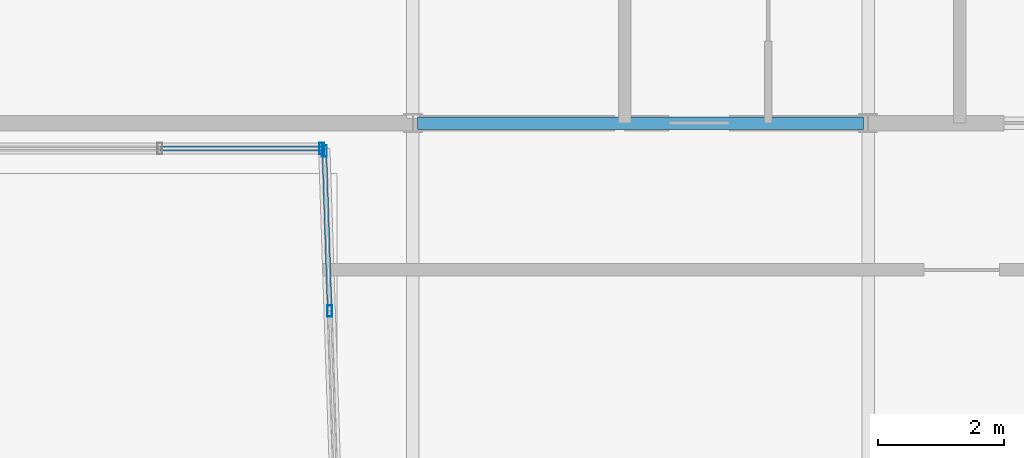
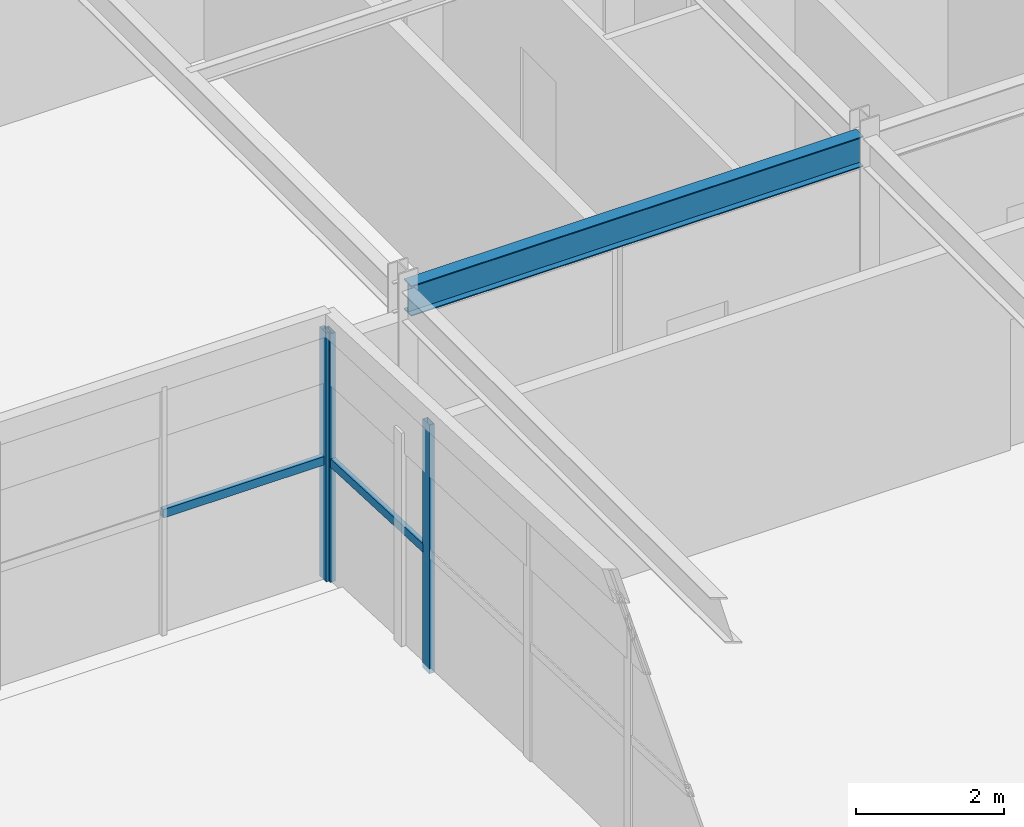
# One storey, part 20 of 37: 5 members, 1 beam, 2 elements without a shape of their own.
"""IFC4 building model written with IfcOpenShell, lengths in metres."""

from ifc_helpers import new_model, si_unit, direction, frame, origin, origin_2d, place, context, subcontext, project, spatial, hollow_rectangle, i_section, extrude, source, transform, mapped, material, material_profile, profile_set, type_object, element, aggregate, save


model = new_model("IFC4")

# Units and contexts
model_context = context("Model", 3, precision=1e-05, world=origin(), true_north=direction((0.0, 1.0)))
body_context = subcontext(model_context, "Body", "Model", "MODEL_VIEW")
ifc_project = project(units=[si_unit("LENGTHUNIT", "METRE"), si_unit("AREAUNIT", "SQUARE_METRE"), si_unit("VOLUMEUNIT", "CUBIC_METRE"), si_unit("PLANEANGLEUNIT", "RADIAN"), si_unit("MASSUNIT", "GRAM", prefix="KILO")], contexts=[model_context])

# Site, building, storey
site_placement = place(None, origin())
site = spatial("IfcSite", under=ifc_project, at=site_placement, CompositionType="ELEMENT")
building_placement = place(site_placement, origin())
building = spatial("IfcBuilding", under=site, at=building_placement, Name="Trelvane Seafront Commons", CompositionType="ELEMENT")
storey_placement = place(building_placement, frame((0.0, 0.0, 303.5)))
storey = spatial("IfcBuildingStorey", under=building, at=storey_placement, Name="L79", CompositionType="ELEMENT", Elevation=303.5)

# Beam
ifc_material_1 = material(Name="Steel SM355 (S355)", Category="steel")
ifc_material_profile_1 = material_profile(ifc_material_1, i_section(OverallWidth=0.199951171875, OverallDepth=0.5, WebThickness=0.010009765625, FlangeThickness=0.01611328125, at=origin_2d()), Name="H-500x200x10x16")
ifc_profile_set_1 = profile_set([ifc_material_profile_1], Name="Steel SM355 (S355)")
beam_type = type_object("IfcBeamType", Name="STR-CROWN-FRAME-RING", PredefinedType="SPANDREL", material=ifc_profile_set_1)
shared_shape_1 = source(origin(), body_context, "Body", "SweptSolid", [
    extrude(i_section(OverallWidth=0.199951171875, OverallDepth=0.5, WebThickness=0.010009765625, FlangeThickness=0.01611328125, at=origin_2d()), origin(), (0.0, 0.0, 1.0), 7.050048828125),
])
beam_placement = place(storey_placement, frame((43.875, 33.39990234375, 3.85009765625), z_axis=(1.0, 0.0, 0.0), x_axis=(0.0, 1.0, 0.0)))
element("IfcBeam", 1, at=beam_placement, inside=storey, type_object=beam_type, Name="L79 CROWN FRAME Ring Beam G-12", PredefinedType="SPANDREL", context=body_context, shape_type="MappedRepresentation", body=[
    mapped(shared_shape_1, transform((0.0, 0.0, 0.0), x_axis=(1.0, 0.0, 0.0), y_axis=(0.0, 1.0, 0.0), z_axis=(0.0, 0.0, 1.0), scale=1.0)),
])

# Curtain wall, members
ifc_material_2 = material(Name="Anodised pale-silver aluminium", Category="aluminium")
curtain_wall_type = type_object("IfcCurtainWallType", Name="ARCH-CW6-CROWN", PredefinedType="NOTDEFINED", material=ifc_material_2)
curtain_wall_1_placement = place(storey_placement, origin())
curtain_wall_1 = element("IfcCurtainWall", 2, at=curtain_wall_1_placement, inside=storey, type_object=curtain_wall_type, Name="CW-L79-0132", PredefinedType="NOTDEFINED")
ifc_material_profile_2 = material_profile(ifc_material_2, hollow_rectangle(XDim=0.080078125, YDim=0.179931640625, WallThickness=0.00439453125, at=origin_2d()), Name="MULL-80x180x4.5")
ifc_profile_set_2 = profile_set([ifc_material_profile_2], Name="Anodised pale-silver aluminium")
member_type_1 = type_object("IfcMemberType", Name="ARCH-CW-MULL-180", PredefinedType="MULLION", material=ifc_profile_set_2)
shared_shape_2 = source(origin(), body_context, "Body", "SweptSolid", [
    extrude(hollow_rectangle(XDim=0.080078125, YDim=0.179931640625, WallThickness=0.00439453125, at=origin_2d()), origin(), (0.0, 0.0, 1.0), 4.10009765625),
])
member_1_placement = place(storey_placement, frame((42.485595703125, 30.4287109375, 0.0), z_axis=(0.0, 0.0, 1.0), x_axis=(1.0, 0.0, 0.0)))
member_1 = element("IfcMember", 3, at=member_1_placement, type_object=member_type_1, Name="CW-L79-0132-M06", PredefinedType="MULLION", context=body_context, shape_type="MappedRepresentation", body=[
    mapped(shared_shape_2, transform((0.0, 0.0, 0.0), x_axis=(1.0, 0.0, 0.0), y_axis=(0.0, 1.0, 0.0), z_axis=(0.0, 0.0, 1.0), scale=1.0)),
])
member_2_placement = place(storey_placement, frame((42.4013671875, 32.9599609375, 0.0), z_axis=(0.0, 0.0, 1.0), x_axis=(1.0, 0.0, 0.0)))
member_2 = element("IfcMember", 4, at=member_2_placement, type_object=member_type_1, Name="CW-L79-0132-M07", PredefinedType="MULLION", context=body_context, shape_type="MappedRepresentation", body=[
    mapped(shared_shape_2, transform((0.0, 0.0, 0.0), x_axis=(1.0, 0.0, 0.0), y_axis=(0.0, 1.0, 0.0), z_axis=(0.0, 0.0, 1.0), scale=1.0)),
])

curtain_wall_2_placement = place(storey_placement, origin())
curtain_wall_2 = element("IfcCurtainWall", 5, at=curtain_wall_2_placement, inside=storey, type_object=curtain_wall_type, Name="CW-L79-0133", PredefinedType="NOTDEFINED")
member_3_placement = place(storey_placement, frame((42.360107421875, 33.0, 0.0), z_axis=(0.0, 0.0, 1.0), x_axis=(1.0, 0.0, 0.0)))
member_3 = element("IfcMember", 6, at=member_3_placement, type_object=member_type_1, Name="CW-L79-0133-M00", PredefinedType="MULLION", context=body_context, shape_type="MappedRepresentation", body=[
    mapped(shared_shape_2, transform((0.0, 0.0, 0.0), x_axis=(1.0, 0.0, 0.0), y_axis=(0.0, 1.0, 0.0), z_axis=(0.0, 0.0, 1.0), scale=1.0)),
])
ifc_material_profile_3 = material_profile(ifc_material_2, hollow_rectangle(XDim=0.074951171875, YDim=0.139892578125, WallThickness=0.00390625, at=origin_2d()), Name="TRAN-75x140x4")
ifc_profile_set_3 = profile_set([ifc_material_profile_3], Name="Anodised pale-silver aluminium")
member_type_2 = type_object("IfcMemberType", Name="ARCH-CW-TRAN-140", PredefinedType="USERDEFINED", material=ifc_profile_set_3)
shared_shape_3 = source(origin(), body_context, "Body", "SweptSolid", [
    extrude(hollow_rectangle(XDim=0.074951171875, YDim=0.139892578125, WallThickness=0.00390625, at=origin_2d()), origin(), (0.0, 0.0, 1.0), 2.575927734375),
])
member_4_placement = place(storey_placement, frame((42.387939453125, 33.0, 1.968017578125), z_axis=(-1.0, 0.0, 0.0), x_axis=(0.0, -1.0, 0.0)))
member_4 = element("IfcMember", 7, at=member_4_placement, type_object=member_type_2, Name="CW-L79-0133-T00", ObjectType="TRANSOM", PredefinedType="USERDEFINED", context=body_context, shape_type="MappedRepresentation", body=[
    mapped(shared_shape_3, transform((0.0, 0.0, 0.0), x_axis=(1.0, 0.0, 0.0), y_axis=(0.0, 1.0, 0.0), z_axis=(0.0, 0.0, 1.0), scale=1.0)),
])
aggregate(curtain_wall_2, [member_3, member_4])

# Member
shared_shape_4 = source(origin(), body_context, "Body", "SweptSolid", [
    extrude(hollow_rectangle(XDim=0.074951171875, YDim=0.139892578125, WallThickness=0.00390625, at=origin_2d()), origin(), (0.0, 0.0, 1.0), 2.548828125),
])
member_5_placement = place(storey_placement, frame((42.4853515625, 30.440673828125, 1.968017578125), z_axis=(-0.033333966416, 0.999444268923, 0.0), x_axis=(-0.999444268923, -0.033333966416, 0.0)))
member_5 = element("IfcMember", 8, at=member_5_placement, type_object=member_type_2, Name="CW-L79-0132-T06", ObjectType="TRANSOM", PredefinedType="USERDEFINED", context=body_context, shape_type="MappedRepresentation", body=[
    mapped(shared_shape_4, transform((0.0, 0.0, 0.0), x_axis=(1.0, 0.0, 0.0), y_axis=(0.0, 1.0, 0.0), z_axis=(0.0, 0.0, 1.0), scale=1.0)),
])

aggregate(curtain_wall_1, [member_1, member_2, member_5])

save(model, "model.ifc")
